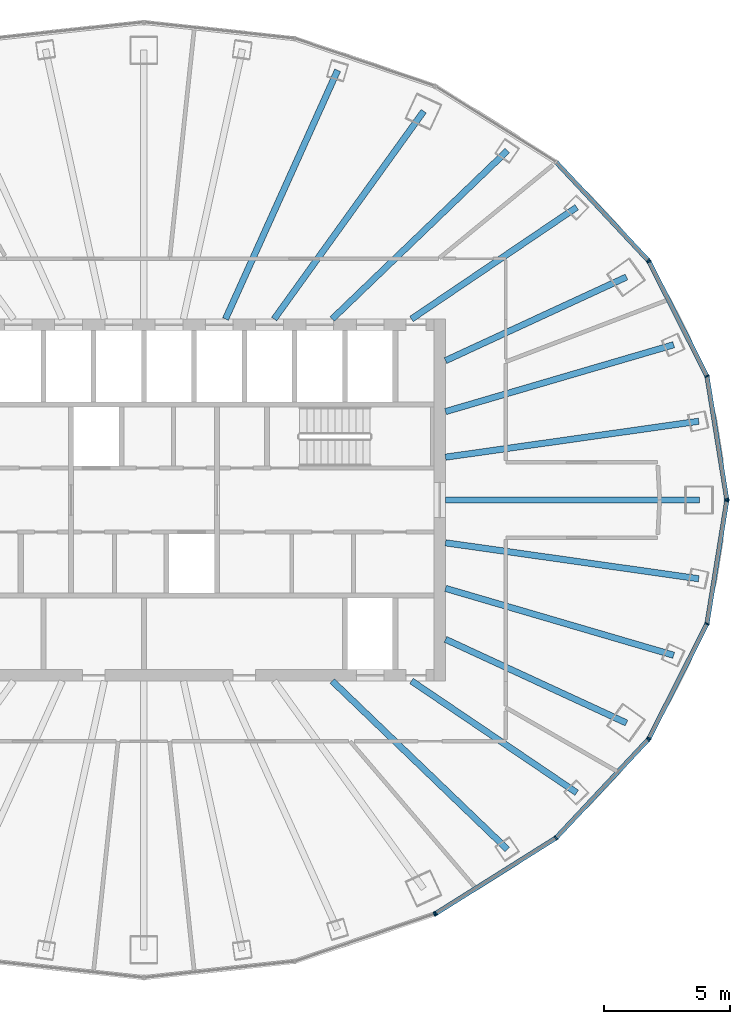
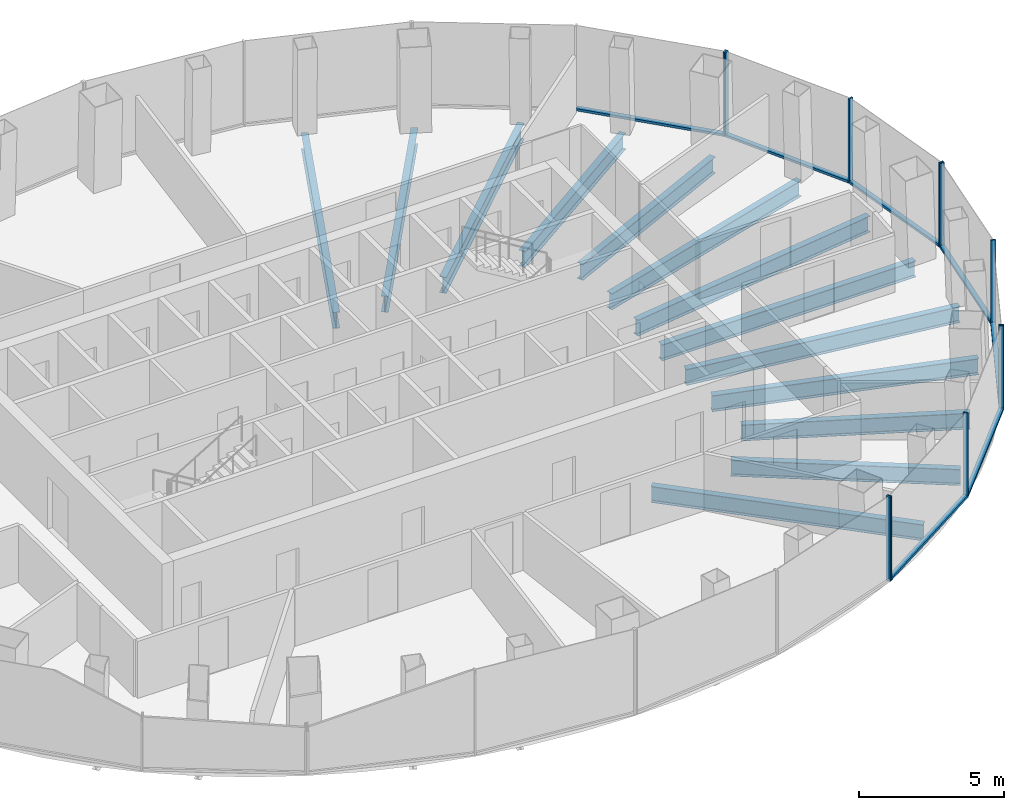
# One storey, part 5 of 11: 18 members, 13 beams, 5 elements without a shape of their own.
"""IFC4 building model written with IfcOpenShell, lengths in metres."""

from ifc_helpers import new_model, si_unit, direction, frame, origin, origin_2d, place, context, subcontext, project, spatial, rectangle, i_section, extrude, material, layer, layer_set, material_profile, profile_set, type_object, element, aggregate, save


model = new_model("IFC4")

# Units and contexts
model_context = context("Model", 3, precision=1e-05, world=origin(), true_north=direction((0.0, 1.0)))
body_context = subcontext(model_context, "Body", "Model", "MODEL_VIEW")
ifc_project = project(units=[si_unit("LENGTHUNIT", "METRE"), si_unit("AREAUNIT", "SQUARE_METRE"), si_unit("VOLUMEUNIT", "CUBIC_METRE"), si_unit("PLANEANGLEUNIT", "RADIAN"), si_unit("MASSUNIT", "GRAM", prefix="KILO")], contexts=[model_context])

# Site, building, storey
site_placement = place(None, origin())
site = spatial("IfcSite", under=ifc_project, at=site_placement, CompositionType="ELEMENT")
building_placement = place(site_placement, origin())
building = spatial("IfcBuilding", under=site, at=building_placement, Name="Siaravel Broadcast Tower", CompositionType="ELEMENT")
storey_placement = place(building_placement, frame((0.0, 0.0, 183.0)))
storey = spatial("IfcBuildingStorey", under=building, at=storey_placement, Name="L44", CompositionType="ELEMENT", Elevation=183.0)

# Beams
ifc_material_1 = material(Name="Steel S355", Category="steel")
ifc_material_profile_1 = material_profile(ifc_material_1, i_section(OverallWidth=0.2529296875, OverallDepth=0.677978515625, WebThickness=0.01171875, FlangeThickness=0.01611328125, FilletRadius=0.01513671875, at=origin_2d()))
ifc_profile_set_1 = profile_set([ifc_material_profile_1], Name="Steel S355")
beam_type = type_object("IfcBeamType", Name="BM-UB 686x254x125", PredefinedType="BEAM", material=ifc_profile_set_1)
beam_1_placement = place(storey_placement, frame((22.1083984375, 0.0, -0.489013671875), z_axis=(-1.0, 0.0, 0.0), x_axis=(0.0, -1.0, 0.0)))
element("IfcBeam", 1, at=beam_1_placement, inside=storey, type_object=beam_type, Name="Radial beam RB01", PredefinedType="BEAM", context=body_context, shape_type="SweptSolid", body=[
    extrude(i_section(OverallWidth=0.2529296875, OverallDepth=0.677978515625, WebThickness=0.01171875, FlangeThickness=0.01611328125, FilletRadius=0.01513671875, at=origin_2d()), origin(), (0.0, 0.0, 1.0), 10.1083984375),
])
beam_2_placement = place(storey_placement, frame((22.07373046875, 3.1328125, -0.489013671875), z_axis=(-0.990078651, -0.140514289, 0.0), x_axis=(0.140514289, -0.990078651, 0.0)))
element("IfcBeam", 2, at=beam_2_placement, inside=storey, type_object=beam_type, Name="Radial beam RB02", PredefinedType="BEAM", context=body_context, shape_type="SweptSolid", body=[
    extrude(i_section(OverallWidth=0.2529296875, OverallDepth=0.677978515625, WebThickness=0.01171875, FlangeThickness=0.01611328125, FilletRadius=0.01513671875, at=origin_2d()), origin(), (0.0, 0.0, 1.0), 10.174560546875),
])
beam_3_placement = place(storey_placement, frame((21.077880859375, 6.177001953125, -0.489013671875), z_axis=(-0.959638752, -0.281235605, 0.0), x_axis=(0.281235605, -0.959638752, 0.0)))
element("IfcBeam", 3, at=beam_3_placement, inside=storey, type_object=beam_type, Name="Radial beam RB03", PredefinedType="BEAM", context=body_context, shape_type="SweptSolid", body=[
    extrude(i_section(OverallWidth=0.2529296875, OverallDepth=0.677978515625, WebThickness=0.01171875, FlangeThickness=0.01611328125, FilletRadius=0.01513671875, at=origin_2d()), origin(), (0.0, 0.0, 1.0), 9.459716796875),
])
beam_4_placement = place(storey_placement, frame((19.2001953125, 8.87158203125, -0.489013671875), z_axis=(-0.907780023, -0.419446575, 0.0), x_axis=(0.419446575, -0.907780023, 0.0)))
element("IfcBeam", 4, at=beam_4_placement, inside=storey, type_object=beam_type, Name="Radial beam RB04", PredefinedType="BEAM", context=body_context, shape_type="SweptSolid", body=[
    extrude(i_section(OverallWidth=0.2529296875, OverallDepth=0.677978515625, WebThickness=0.01171875, FlangeThickness=0.01611328125, FilletRadius=0.01513671875, at=origin_2d()), origin(), (0.0, 0.0, 1.0), 7.931640625),
])
beam_5_placement = place(storey_placement, frame((17.219970703125, 11.647216796875, -0.489013671875), z_axis=(-0.82831238, -0.560266545, 0.0), x_axis=(0.560266545, -0.82831238, 0.0)))
element("IfcBeam", 5, at=beam_5_placement, inside=storey, type_object=beam_type, Name="Radial beam RB05", PredefinedType="BEAM", context=body_context, shape_type="SweptSolid", body=[
    extrude(i_section(OverallWidth=0.2529296875, OverallDepth=0.677978515625, WebThickness=0.01171875, FlangeThickness=0.01611328125, FilletRadius=0.01513671875, at=origin_2d()), origin(), (0.0, 0.0, 1.0), 7.937744140625),
])
beam_6_placement = place(storey_placement, frame((14.465087890625, 13.903564453125, -0.489013671875), z_axis=(-0.720962538, -0.692974039, 0.0), x_axis=(0.692974039, -0.720962538, 0.0)))
element("IfcBeam", 6, at=beam_6_placement, inside=storey, type_object=beam_type, Name="Radial beam RB06", PredefinedType="BEAM", context=body_context, shape_type="SweptSolid", body=[
    extrude(i_section(OverallWidth=0.2529296875, OverallDepth=0.677978515625, WebThickness=0.01171875, FlangeThickness=0.01611328125, FilletRadius=0.01513671875, at=origin_2d()), origin(), (0.0, 0.0, 1.0), 9.673583984375),
])
beam_7_placement = place(storey_placement, frame((11.134033203125, 15.468994140625, -0.489013671875), z_axis=(-0.584172151, -0.811629779, 0.0), x_axis=(0.811629779, -0.584172151, 0.0)))
element("IfcBeam", 7, at=beam_7_placement, inside=storey, type_object=beam_type, Name="Radial beam RB07", PredefinedType="BEAM", context=body_context, shape_type="SweptSolid", body=[
    extrude(i_section(OverallWidth=0.2529296875, OverallDepth=0.677978515625, WebThickness=0.01171875, FlangeThickness=0.01611328125, FilletRadius=0.01513671875, at=origin_2d()), origin(), (0.0, 0.0, 1.0), 10.188232421875),
])
beam_8_placement = place(storey_placement, frame((7.709228515625, 17.097412109375, -0.489013671875), z_axis=(-0.41103777, -0.911618315, 0.0), x_axis=(0.911618315, -0.41103777, 0.0)))
element("IfcBeam", 8, at=beam_8_placement, inside=storey, type_object=beam_type, Name="Radial beam RB08", PredefinedType="BEAM", context=body_context, shape_type="SweptSolid", body=[
    extrude(i_section(OverallWidth=0.2529296875, OverallDepth=0.677978515625, WebThickness=0.01171875, FlangeThickness=0.01611328125, FilletRadius=0.01513671875, at=origin_2d()), origin(), (0.0, 0.0, 1.0), 10.85693359375),
])
beam_9_placement = place(storey_placement, frame((14.465087890625, -13.903564453125, -0.489013671875), z_axis=(-0.720962538, 0.692974039, 0.0), x_axis=(-0.692974039, -0.720962538, 0.0)))
element("IfcBeam", 9, at=beam_9_placement, inside=storey, type_object=beam_type, Name="Radial beam RB32", PredefinedType="BEAM", context=body_context, shape_type="SweptSolid", body=[
    extrude(i_section(OverallWidth=0.2529296875, OverallDepth=0.677978515625, WebThickness=0.01171875, FlangeThickness=0.01611328125, FilletRadius=0.01513671875, at=origin_2d()), origin(), (0.0, 0.0, 1.0), 9.673583984375),
])
beam_10_placement = place(storey_placement, frame((17.219970703125, -11.647216796875, -0.489013671875), z_axis=(-0.82831238, 0.560266545, 0.0), x_axis=(-0.560266545, -0.82831238, 0.0)))
element("IfcBeam", 10, at=beam_10_placement, inside=storey, type_object=beam_type, Name="Radial beam RB33", PredefinedType="BEAM", context=body_context, shape_type="SweptSolid", body=[
    extrude(i_section(OverallWidth=0.2529296875, OverallDepth=0.677978515625, WebThickness=0.01171875, FlangeThickness=0.01611328125, FilletRadius=0.01513671875, at=origin_2d()), origin(), (0.0, 0.0, 1.0), 7.937744140625),
])
beam_11_placement = place(storey_placement, frame((19.2001953125, -8.87158203125, -0.489013671875), z_axis=(-0.907780023, 0.419446575, 0.0), x_axis=(-0.419446575, -0.907780023, 0.0)))
element("IfcBeam", 11, at=beam_11_placement, inside=storey, type_object=beam_type, Name="Radial beam RB34", PredefinedType="BEAM", context=body_context, shape_type="SweptSolid", body=[
    extrude(i_section(OverallWidth=0.2529296875, OverallDepth=0.677978515625, WebThickness=0.01171875, FlangeThickness=0.01611328125, FilletRadius=0.01513671875, at=origin_2d()), origin(), (0.0, 0.0, 1.0), 7.931640625),
])
beam_12_placement = place(storey_placement, frame((21.077880859375, -6.177001953125, -0.489013671875), z_axis=(-0.959638752, 0.281235605, 0.0), x_axis=(-0.281235605, -0.959638752, 0.0)))
element("IfcBeam", 12, at=beam_12_placement, inside=storey, type_object=beam_type, Name="Radial beam RB35", PredefinedType="BEAM", context=body_context, shape_type="SweptSolid", body=[
    extrude(i_section(OverallWidth=0.2529296875, OverallDepth=0.677978515625, WebThickness=0.01171875, FlangeThickness=0.01611328125, FilletRadius=0.01513671875, at=origin_2d()), origin(), (0.0, 0.0, 1.0), 9.459716796875),
])
beam_13_placement = place(storey_placement, frame((22.07373046875, -3.1328125, -0.489013671875), z_axis=(-0.990078651, 0.140514289, 0.0), x_axis=(-0.140514289, -0.990078651, 0.0)))
element("IfcBeam", 13, at=beam_13_placement, inside=storey, type_object=beam_type, Name="Radial beam RB36", PredefinedType="BEAM", context=body_context, shape_type="SweptSolid", body=[
    extrude(i_section(OverallWidth=0.2529296875, OverallDepth=0.677978515625, WebThickness=0.01171875, FlangeThickness=0.01611328125, FilletRadius=0.01513671875, at=origin_2d()), origin(), (0.0, 0.0, 1.0), 10.174560546875),
])

# Curtain wall, members
ifc_material_2 = material(Name="Aluminium 6063-T6", Category="aluminium")
ifc_layer = layer(ifc_material_2, 0.179931640625)
ifc_layer_set = layer_set([ifc_layer], Name="Aluminium 6063-T6")
curtain_wall_type = type_object("IfcCurtainWallType", Name="Unitised curtain wall, zone 3", PredefinedType="NOTDEFINED", material=ifc_layer_set)
curtain_wall_1_placement = place(storey_placement, origin())
curtain_wall_1 = element("IfcCurtainWall", 14, at=curtain_wall_1_placement, inside=storey, type_object=curtain_wall_type, Name="L44 Unitised curtain wall, zone 3 01", PredefinedType="NOTDEFINED")
ifc_material_profile_2 = material_profile(ifc_material_2, rectangle(XDim=0.179931640625, YDim=0.06005859375, at=origin_2d()))
ifc_profile_set_2 = profile_set([ifc_material_profile_2], Name="Aluminium 6063-T6")
member_type_1 = type_object("IfcMemberType", Name="CW-Z3 mullion", PredefinedType="MULLION", material=ifc_profile_set_2)
member_1_placement = place(storey_placement, frame((23.189697265625, 0.029541015625, 0.0), z_axis=(0.0, 0.0, 1.0), x_axis=(-0.987329174, -0.158685547, 0.0)))
member_1 = element("IfcMember", 15, at=member_1_placement, type_object=member_type_1, Name="CW-Z3 mullion 1", PredefinedType="MULLION", context=body_context, shape_type="SweptSolid", body=[
    extrude(rectangle(XDim=0.179931640625, YDim=0.06005859375, at=origin_2d()), origin(), (0.0, 0.0, 1.0), 3.550048828125),
])
member_2_placement = place(storey_placement, frame((22.4033203125, 4.922119140625, 0.0), z_axis=(0.0, 0.0, 1.0), x_axis=(-0.95117718, -0.308645383, 0.0)))
member_2 = element("IfcMember", 16, at=member_2_placement, type_object=member_type_1, Name="CW-Z3 mullion 2", PredefinedType="MULLION", context=body_context, shape_type="SweptSolid", body=[
    extrude(rectangle(XDim=0.179931640625, YDim=0.06005859375, at=origin_2d()), origin(), (0.0, 0.0, 1.0), 3.550048828125),
])
member_3_placement = place(storey_placement, frame((20.09814453125, 9.48095703125, 0.0), z_axis=(0.0, 0.0, 1.0), x_axis=(-0.892392002, -0.451261028, 0.0)))
member_3 = element("IfcMember", 17, at=member_3_placement, type_object=member_type_1, Name="CW-Z3 mullion 3", PredefinedType="MULLION", context=body_context, shape_type="SweptSolid", body=[
    extrude(rectangle(XDim=0.179931640625, YDim=0.06005859375, at=origin_2d()), origin(), (0.0, 0.0, 1.0), 3.550048828125),
])

# Curtain wall, member
curtain_wall_2_placement = place(storey_placement, origin())
curtain_wall_2 = element("IfcCurtainWall", 18, at=curtain_wall_2_placement, inside=storey, type_object=curtain_wall_type, Name="L44 Unitised curtain wall, zone 3 02", PredefinedType="NOTDEFINED")
member_4_placement = place(storey_placement, frame((20.064208984375, 9.52978515625, 0.0), z_axis=(0.0, 0.0, 1.0), x_axis=(-0.729805016, -0.683655351, 0.0)))
member_4 = element("IfcMember", 19, at=member_4_placement, type_object=member_type_1, Name="CW-Z3 mullion 1", PredefinedType="MULLION", context=body_context, shape_type="SweptSolid", body=[
    extrude(rectangle(XDim=0.179931640625, YDim=0.06005859375, at=origin_2d()), origin(), (0.0, 0.0, 1.0), 3.550048828125),
])

curtain_wall_3_placement = place(storey_placement, origin())
curtain_wall_3 = element("IfcCurtainWall", 20, at=curtain_wall_3_placement, inside=storey, type_object=curtain_wall_type, Name="L44 Unitised curtain wall, zone 3 10", PredefinedType="NOTDEFINED")
member_5_placement = place(storey_placement, frame((11.565185546875, -16.472900390625, 0.0), z_axis=(0.0, 0.0, 1.0), x_axis=(-0.321300369, 0.946977335, 0.0)))
member_5 = element("IfcMember", 21, at=member_5_placement, type_object=member_type_1, Name="CW-Z3 mullion 3", PredefinedType="MULLION", context=body_context, shape_type="SweptSolid", body=[
    extrude(rectangle(XDim=0.179931640625, YDim=0.06005859375, at=origin_2d()), origin(), (0.0, 0.0, 1.0), 3.550048828125),
])
aggregate(curtain_wall_3, [member_5])

# Curtain wall, members
curtain_wall_4_placement = place(storey_placement, origin())
curtain_wall_4 = element("IfcCurtainWall", 22, at=curtain_wall_4_placement, inside=storey, type_object=curtain_wall_type, Name="L44 Unitised curtain wall, zone 3 11", PredefinedType="NOTDEFINED")
member_6_placement = place(storey_placement, frame((11.618896484375, -16.447265625, 0.0), z_axis=(0.0, 0.0, 1.0), x_axis=(-0.532148919, 0.846650771, 0.0)))
member_6 = element("IfcMember", 23, at=member_6_placement, type_object=member_type_1, Name="CW-Z3 mullion 1", PredefinedType="MULLION", context=body_context, shape_type="SweptSolid", body=[
    extrude(rectangle(XDim=0.179931640625, YDim=0.06005859375, at=origin_2d()), origin(), (0.0, 0.0, 1.0), 3.550048828125),
])
member_7_placement = place(storey_placement, frame((16.397216796875, -13.44384765625, 0.0), z_axis=(0.0, 0.0, 1.0), x_axis=(-0.636218366, 0.771509035, 0.0)))
member_7 = element("IfcMember", 24, at=member_7_placement, type_object=member_type_1, Name="CW-Z3 mullion 2", PredefinedType="MULLION", context=body_context, shape_type="SweptSolid", body=[
    extrude(rectangle(XDim=0.179931640625, YDim=0.06005859375, at=origin_2d()), origin(), (0.0, 0.0, 1.0), 3.550048828125),
])
member_8_placement = place(storey_placement, frame((20.064208984375, -9.52978515625, 0.0), z_axis=(0.0, 0.0, 1.0), x_axis=(-0.729805016, 0.683655351, 0.0)))
member_8 = element("IfcMember", 25, at=member_8_placement, type_object=member_type_1, Name="CW-Z3 mullion 3", PredefinedType="MULLION", context=body_context, shape_type="SweptSolid", body=[
    extrude(rectangle(XDim=0.179931640625, YDim=0.06005859375, at=origin_2d()), origin(), (0.0, 0.0, 1.0), 3.550048828125),
])

curtain_wall_5_placement = place(storey_placement, origin())
curtain_wall_5 = element("IfcCurtainWall", 26, at=curtain_wall_5_placement, inside=storey, type_object=curtain_wall_type, Name="L44 Unitised curtain wall, zone 3 12", PredefinedType="NOTDEFINED")
member_9_placement = place(storey_placement, frame((20.09814453125, -9.48095703125, 0.0), z_axis=(0.0, 0.0, 1.0), x_axis=(-0.892392002, 0.451261028, 0.0)))
member_9 = element("IfcMember", 27, at=member_9_placement, type_object=member_type_1, Name="CW-Z3 mullion 1", PredefinedType="MULLION", context=body_context, shape_type="SweptSolid", body=[
    extrude(rectangle(XDim=0.179931640625, YDim=0.06005859375, at=origin_2d()), origin(), (0.0, 0.0, 1.0), 3.550048828125),
])
member_10_placement = place(storey_placement, frame((22.4033203125, -4.922119140625, 0.0), z_axis=(0.0, 0.0, 1.0), x_axis=(-0.95117718, 0.308645383, 0.0)))
member_10 = element("IfcMember", 28, at=member_10_placement, type_object=member_type_1, Name="CW-Z3 mullion 2", PredefinedType="MULLION", context=body_context, shape_type="SweptSolid", body=[
    extrude(rectangle(XDim=0.179931640625, YDim=0.06005859375, at=origin_2d()), origin(), (0.0, 0.0, 1.0), 3.550048828125),
])
member_11_placement = place(storey_placement, frame((23.189697265625, -0.029541015625, 0.0), z_axis=(0.0, 0.0, 1.0), x_axis=(-0.987329174, 0.158685547, 0.0)))
member_11 = element("IfcMember", 29, at=member_11_placement, type_object=member_type_1, Name="CW-Z3 mullion 3", PredefinedType="MULLION", context=body_context, shape_type="SweptSolid", body=[
    extrude(rectangle(XDim=0.179931640625, YDim=0.06005859375, at=origin_2d()), origin(), (0.0, 0.0, 1.0), 3.550048828125),
])

# Member
ifc_material_profile_3 = material_profile(ifc_material_2, rectangle(XDim=0.179931640625, YDim=0.10009765625, at=origin_2d()))
ifc_profile_set_3 = profile_set([ifc_material_profile_3], Name="Aluminium 6063-T6")
member_type_2 = type_object("IfcMemberType", Name="CW-Z3 transom", PredefinedType="USERDEFINED", material=ifc_profile_set_3)
member_12_placement = place(storey_placement, frame((23.18505859375, 0.05908203125, 0.050048828125), z_axis=(-0.158686777, 0.987328976, 0.0), x_axis=(-0.987328976, -0.158686777, 0.0)))
member_12 = element("IfcMember", 30, at=member_12_placement, type_object=member_type_2, Name="CW-Z3 transom 1", ObjectType="TRANSOM", PredefinedType="USERDEFINED", context=body_context, shape_type="SweptSolid", body=[
    extrude(rectangle(XDim=0.179931640625, YDim=0.10009765625, at=origin_2d()), origin(), (0.0, 0.0, 1.0), 4.8955078125),
])

member_13_placement = place(storey_placement, frame((22.389892578125, 4.948974609375, 0.050048828125), z_axis=(-0.451251966, 0.892396584, 0.0), x_axis=(-0.892396584, -0.451251966, 0.0)))
member_13 = element("IfcMember", 31, at=member_13_placement, type_object=member_type_2, Name="CW-Z3 transom 2", ObjectType="TRANSOM", PredefinedType="USERDEFINED", context=body_context, shape_type="SweptSolid", body=[
    extrude(rectangle(XDim=0.179931640625, YDim=0.10009765625, at=origin_2d()), origin(), (0.0, 0.0, 1.0), 5.04833984375),
])

aggregate(curtain_wall_1, [member_1, member_2, member_3, member_12, member_13])

member_14_placement = place(storey_placement, frame((20.043701171875, 9.551513671875, 0.050048828125), z_axis=(-0.683668525, 0.729792674, 0.0), x_axis=(-0.729792674, -0.683668525, 0.0)))
member_14 = element("IfcMember", 32, at=member_14_placement, type_object=member_type_2, Name="CW-Z3 transom 1", ObjectType="TRANSOM", PredefinedType="USERDEFINED", context=body_context, shape_type="SweptSolid", body=[
    extrude(rectangle(XDim=0.179931640625, YDim=0.10009765625, at=origin_2d()), origin(), (0.0, 0.0, 1.0), 5.3037109375),
])

aggregate(curtain_wall_2, [member_4, member_14])

member_15_placement = place(storey_placement, frame((11.644287109375, -16.431396484375, 0.050048828125), z_axis=(0.846649494, 0.53215095, 0.0), x_axis=(-0.53215095, 0.846649494, 0.0)))
member_15 = element("IfcMember", 33, at=member_15_placement, type_object=member_type_2, Name="CW-Z3 transom 1", ObjectType="TRANSOM", PredefinedType="USERDEFINED", context=body_context, shape_type="SweptSolid", body=[
    extrude(rectangle(XDim=0.179931640625, YDim=0.10009765625, at=origin_2d()), origin(), (0.0, 0.0, 1.0), 5.583740234375),
])

member_16_placement = place(storey_placement, frame((16.417724609375, -13.422119140625, 0.050048828125), z_axis=(0.683668525, 0.729792674, 0.0), x_axis=(-0.729792674, 0.683668525, 0.0)))
member_16 = element("IfcMember", 34, at=member_16_placement, type_object=member_type_2, Name="CW-Z3 transom 2", ObjectType="TRANSOM", PredefinedType="USERDEFINED", context=body_context, shape_type="SweptSolid", body=[
    extrude(rectangle(XDim=0.179931640625, YDim=0.10009765625, at=origin_2d()), origin(), (0.0, 0.0, 1.0), 5.3037109375),
])

aggregate(curtain_wall_4, [member_6, member_7, member_8, member_15, member_16])

member_17_placement = place(storey_placement, frame((20.11181640625, -9.4541015625, 0.050048828125), z_axis=(0.451251966, 0.892396584, 0.0), x_axis=(-0.892396584, 0.451251966, 0.0)))
member_17 = element("IfcMember", 35, at=member_17_placement, type_object=member_type_2, Name="CW-Z3 transom 1", ObjectType="TRANSOM", PredefinedType="USERDEFINED", context=body_context, shape_type="SweptSolid", body=[
    extrude(rectangle(XDim=0.179931640625, YDim=0.10009765625, at=origin_2d()), origin(), (0.0, 0.0, 1.0), 5.04833984375),
])

member_18_placement = place(storey_placement, frame((22.408203125, -4.892578125, 0.050048828125), z_axis=(0.158686777, 0.987328976, 0.0), x_axis=(-0.987328976, 0.158686777, 0.0)))
member_18 = element("IfcMember", 36, at=member_18_placement, type_object=member_type_2, Name="CW-Z3 transom 2", ObjectType="TRANSOM", PredefinedType="USERDEFINED", context=body_context, shape_type="SweptSolid", body=[
    extrude(rectangle(XDim=0.179931640625, YDim=0.10009765625, at=origin_2d()), origin(), (0.0, 0.0, 1.0), 4.8955078125),
])

aggregate(curtain_wall_5, [member_9, member_10, member_11, member_17, member_18])

save(model, "model.ifc")
